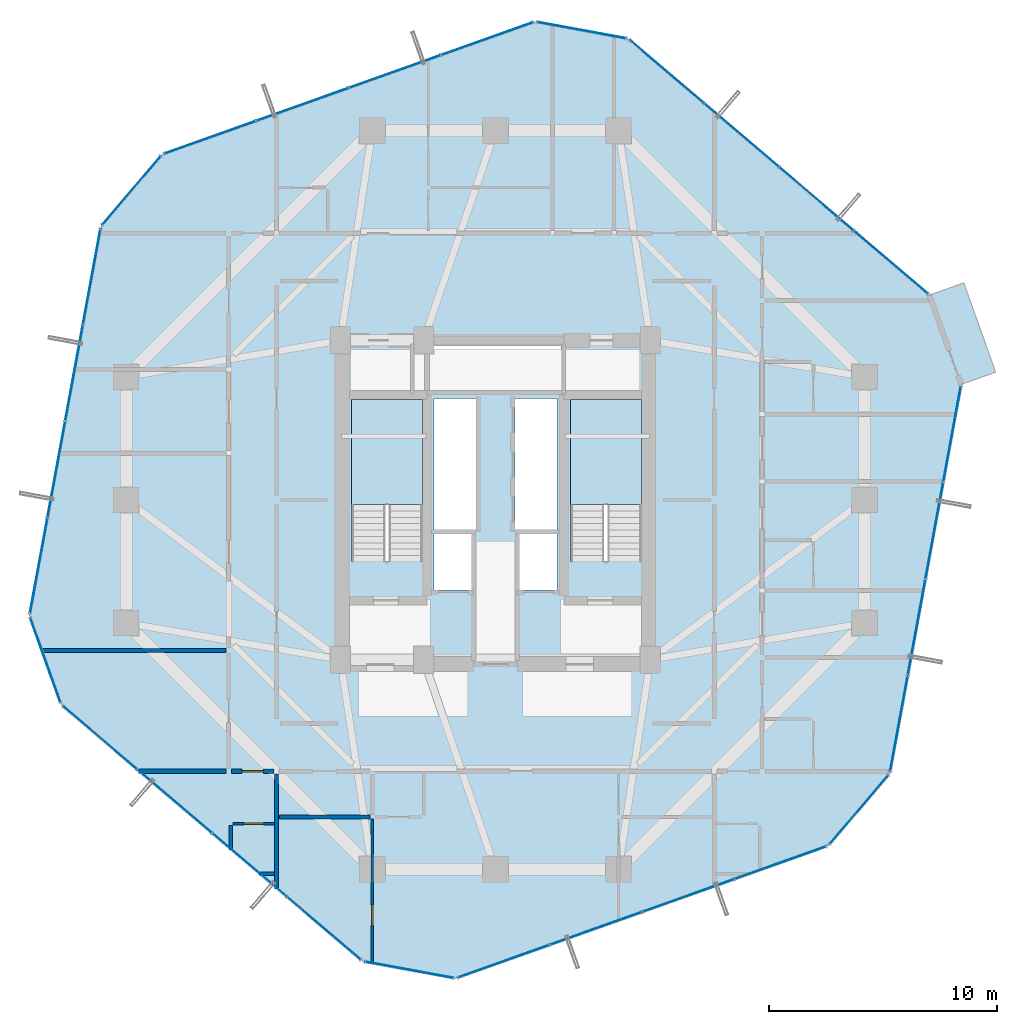
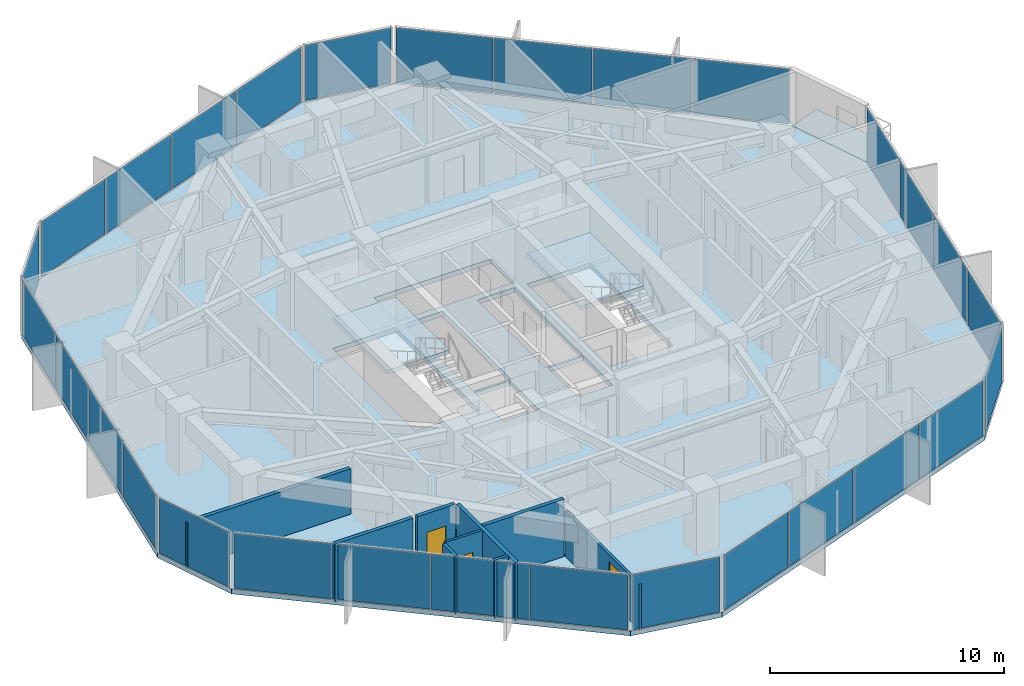
# One storey, part 27 of 33: 29 plates, 9 walls, 4 slabs, 3 doors, 3 openings, 13 elements without a shape of their own.
"""IFC4 building model written with IfcOpenShell, lengths in metres."""

import ifcopenshell
import ifcopenshell.guid

model = None  # the IFC model being written
_history = None  # IfcOwnerHistory: only IFC2X3 demands one
_inside = {}  # id of a spatial element -> (the spatial element, [elements in it])
_under = {}  # id of a project, library or spatial element -> (it, [spatial elements below it])
_declared = {}  # id of a project -> (the project, [libraries it declares])
_typed = {}  # id of a type object -> (the type object, [elements of that type])
_made_of = {}  # id of a material, layer set ... -> (it, [elements and type objects made of it])


def new_model(schema):
    """Start an empty IFC model of exactly this schema.

    Asked for "IFC4X3", IfcOpenShell would pick the latest addendum, in which some entities
    have other attributes; the version numbers below select the first issue.
    IFC2X3 requires an IfcOwnerHistory on every rooted entity: one is made here for all.
    """
    global model, _history
    if schema == "IFC4X3":
        model = ifcopenshell.file(schema_version=(4, 3, 0, 0))
    else:
        model = ifcopenshell.file(schema=schema)
    _inside.clear()
    _under.clear()
    _declared.clear()
    _typed.clear()
    _made_of.clear()
    _history = None
    if model.schema == "IFC2X3":
        org = make("IfcOrganization", Name="unknown")
        user = make(
            "IfcPersonAndOrganization",
            ThePerson=make("IfcPerson", FamilyName="unknown"),
            TheOrganization=org,
        )
        app = make(
            "IfcApplication",
            ApplicationDeveloper=org,
            Version="unknown",
            ApplicationFullName="unknown",
            ApplicationIdentifier="unknown",
        )
        _history = make(
            "IfcOwnerHistory",
            OwningUser=user,
            OwningApplication=app,
            ChangeAction="ADDED",
            CreationDate=0,
        )
    return model


def make(cls, **values):
    """One entity of the class cls with the attributes given. An attribute that is None is left unset."""
    return model.create_entity(
        cls, **{name: value for name, value in values.items() if value is not None}
    )


def rooted(cls, **values):
    """An entity with a GlobalId (a new one), such as an element, a storey or a relation."""
    return make(cls, GlobalId=ifcopenshell.guid.new(), OwnerHistory=_history, **values)


def si_unit(unit_type, name, prefix=None):
    """IfcSIUnit, for example si_unit("LENGTHUNIT", "METRE", prefix="MILLI")."""
    return make("IfcSIUnit", UnitType=unit_type, Prefix=prefix, Name=name)


def assignment(units):
    """IfcUnitAssignment: the units of a project."""
    return None if units is None else make("IfcUnitAssignment", Units=units)


def point(xyz):
    """IfcCartesianPoint."""
    return None if xyz is None else make("IfcCartesianPoint", Coordinates=xyz)


def direction(xyz):
    """IfcDirection."""
    return None if xyz is None else make("IfcDirection", DirectionRatios=xyz)


def frame(location, z_axis=None, x_axis=None):
    """IfcAxis2Placement3D, a coordinate frame: its origin and axes. An axis left out is left unset."""
    return make(
        "IfcAxis2Placement3D",
        Location=point(location),
        Axis=direction(z_axis),
        RefDirection=direction(x_axis),
    )


def frame_2d(location, x_axis=None):
    """IfcAxis2Placement2D, a coordinate frame in the plane: its origin and x axis."""
    return make(
        "IfcAxis2Placement2D", Location=point(location), RefDirection=direction(x_axis)
    )


def origin():
    """The frame at (0, 0, 0) with its axes left unset."""
    return frame((0.0, 0.0, 0.0))


def origin_2d():
    """The frame at (0, 0) in the plane with its x axis left unset."""
    return frame_2d((0.0, 0.0))


def place(relative_to, where):
    """IfcLocalPlacement: puts the frame where relative to a parent placement (None: the world)."""
    return make(
        "IfcLocalPlacement", PlacementRelTo=relative_to, RelativePlacement=where
    )


def context(
    kind, dimensions, precision=None, world=None, true_north=None, identifier=None
):
    """IfcGeometricRepresentationContext, for example the 3D "Model" context."""
    return make(
        "IfcGeometricRepresentationContext",
        ContextIdentifier=identifier,
        ContextType=kind,
        CoordinateSpaceDimension=dimensions,
        Precision=precision,
        WorldCoordinateSystem=world,
        TrueNorth=true_north,
    )


def subcontext(parent, identifier, kind, view, scale=None):
    """IfcGeometricRepresentationSubContext, for example "Body" below "Model"."""
    return make(
        "IfcGeometricRepresentationSubContext",
        ContextIdentifier=identifier,
        ContextType=kind,
        ParentContext=parent,
        TargetScale=scale,
        TargetView=view,
    )


def project(units=None, contexts=None):
    """IfcProject with its units and contexts."""
    return rooted(
        "IfcProject",
        Name="project",
        RepresentationContexts=contexts,
        UnitsInContext=assignment(units),
    )


def spatial(cls, under=None, at=None, **own):
    """A site, building, storey or space (cls), placed at a placement, below another one or the project."""
    s = rooted(cls, ObjectPlacement=at, **own)
    if under is not None:
        _under.setdefault(under.id(), (under, []))[1].append(s)
    return s


def polyline(points):
    """IfcPolyline through the points."""
    return make("IfcPolyline", Points=[point(p) for p in points])


def profile(cls, at=None, kind="AREA", **sizes):
    """A parametric profile (cls). Its sizes go by their IFC names, for example OverallWidth=200.0."""
    return make(cls, ProfileType=kind, Position=at, **sizes)


def rectangle(**sizes):
    """IfcRectangleProfileDef."""
    return profile("IfcRectangleProfileDef", **sizes)


def outline(outer, holes=None, kind="AREA"):
    """IfcArbitraryClosedProfileDef: a profile drawn as a closed curve; with holes, ...WithVoids."""
    if holes is None:
        return make("IfcArbitraryClosedProfileDef", ProfileType=kind, OuterCurve=outer)
    return make(
        "IfcArbitraryProfileDefWithVoids",
        ProfileType=kind,
        OuterCurve=outer,
        InnerCurves=holes,
    )


def extrude(swept, where, along, depth):
    """IfcExtrudedAreaSolid: the profile swept, set in the frame where, extruded along a direction by depth."""
    return make(
        "IfcExtrudedAreaSolid",
        SweptArea=swept,
        Position=where,
        ExtrudedDirection=direction(along),
        Depth=depth,
    )


def shape(context_of_items, identifier, shape_type, items):
    """IfcShapeRepresentation: the items that make up one representation, for example the "Body"."""
    return make(
        "IfcShapeRepresentation",
        ContextOfItems=context_of_items,
        RepresentationIdentifier=identifier,
        RepresentationType=shape_type,
        Items=items,
    )


def source(mapping_origin, context_of_items, identifier, shape_type, items):
    """IfcRepresentationMap: a shape defined once, which mapped items show again and again."""
    return make(
        "IfcRepresentationMap",
        MappingOrigin=mapping_origin,
        MappedRepresentation=shape(context_of_items, identifier, shape_type, items),
    )


def transform(
    local_origin,
    x_axis=None,
    y_axis=None,
    z_axis=None,
    scale=None,
    scale2=None,
    scale3=None,
    uniform=True,
):
    """IfcCartesianTransformationOperator3D, or its non-uniform kind. x_axis, y_axis, z_axis: its Axis1, 2, 3."""
    if uniform:
        return make(
            "IfcCartesianTransformationOperator3D",
            Axis1=direction(x_axis),
            Axis2=direction(y_axis),
            LocalOrigin=point(local_origin),
            Scale=scale,
            Axis3=direction(z_axis),
        )
    return make(
        "IfcCartesianTransformationOperator3DnonUniform",
        Axis1=direction(x_axis),
        Axis2=direction(y_axis),
        LocalOrigin=point(local_origin),
        Scale=scale,
        Axis3=direction(z_axis),
        Scale2=scale2,
        Scale3=scale3,
    )


def mapped(mapping_source, mapping_target):
    """IfcMappedItem: shows the shape of a source again, moved by a transform."""
    return make(
        "IfcMappedItem", MappingSource=mapping_source, MappingTarget=mapping_target
    )


def material(Name=None, Category=None):
    """IfcMaterial."""
    return make("IfcMaterial", Name=Name, Category=Category)


def layer(
    of_material, thickness, ventilated=None, Name=None, Category=None, Priority=None
):
    """IfcMaterialLayer: one layer of a wall or slab, of a material (None: an air gap)."""
    return make(
        "IfcMaterialLayer",
        Material=of_material,
        LayerThickness=thickness,
        IsVentilated=ventilated,
        Name=Name,
        Category=Category,
        Priority=Priority,
    )


def layer_set(layers, Name=None):
    """IfcMaterialLayerSet."""
    return make("IfcMaterialLayerSet", MaterialLayers=layers, LayerSetName=Name)


def made_of(thing, what):
    """Note that an element or type object is made of a material, layer set ...; save() writes the relation."""
    if what is not None:
        _made_of.setdefault(what.id(), (what, []))[1].append(thing)
    return thing


def type_object(cls, material=None, **own):
    """A type object (cls), such as IfcWallType, which elements share."""
    return made_of(rooted(cls, **own), material)


def element(
    cls,
    number,
    at=None,
    inside=None,
    cuts=None,
    type_object=None,
    material=None,
    context=None,
    identifier="Body",
    shape_type=None,
    held_by="IfcProductDefinitionShape",
    body=None,
    shapes=None,
    **own,
):
    """One element of the class cls, such as IfcWall. Its Tag is "e" and its number.

    at: its placement. inside: the storey or other place that contains it. cuts: it is an
    opening in that element (IfcRelVoidsElement). A single representation is given by context,
    identifier, shape_type and body (its items); several are given by shapes. held_by: the class
    of the entity that holds the representations. save() writes the other relations.
    """
    e = rooted(cls, Tag="e%d" % number, ObjectPlacement=at, **own)
    if body is not None:
        shapes = [shape(context, identifier, shape_type, body)]
    if shapes is not None:
        e.Representation = make(held_by, Representations=shapes)
    if inside is not None:
        _inside.setdefault(inside.id(), (inside, []))[1].append(e)
    if cuts is not None:
        rooted(
            "IfcRelVoidsElement", RelatingBuildingElement=cuts, RelatedOpeningElement=e
        )
    if type_object is not None:
        _typed.setdefault(type_object.id(), (type_object, []))[1].append(e)
    return made_of(e, material)


def fill(opening, filler):
    """IfcRelFillsElement: the door or window that sits in an opening."""
    return rooted(
        "IfcRelFillsElement",
        RelatingOpeningElement=opening,
        RelatedBuildingElement=filler,
    )


def aggregate(whole, parts):
    """IfcRelAggregates: a whole, such as a stair, and the parts it consists of."""
    return rooted("IfcRelAggregates", RelatingObject=whole, RelatedObjects=parts)


def save(model, path):
    """Write the relations noted so far, then the file.

    IfcRelAggregates (storeys below a building ...), IfcRelContainedInSpatialStructure (elements
    in a storey), IfcRelDefinesByType, IfcRelAssociatesMaterial and IfcRelDeclares: one each for
    every whole, place, type object, material and project.
    """
    for whole, parts in _under.values():
        aggregate(whole, parts)
    for where, things in _inside.values():
        rooted(
            "IfcRelContainedInSpatialStructure",
            RelatedElements=things,
            RelatingStructure=where,
        )
    for kind, things in _typed.values():
        rooted("IfcRelDefinesByType", RelatedObjects=things, RelatingType=kind)
    for what, things in _made_of.values():
        rooted("IfcRelAssociatesMaterial", RelatedObjects=things, RelatingMaterial=what)
    for by, libraries in _declared.values():
        rooted("IfcRelDeclares", RelatingContext=by, RelatedDefinitions=libraries)
    model.write(path)


model = new_model("IFC4")

# Units and contexts
model_context = context("Model", 3, precision=1e-05, world=origin(), true_north=direction((0.0, 1.0)))
body_context = subcontext(model_context, "Body", "Model", "MODEL_VIEW")
ifc_project = project(units=[si_unit("LENGTHUNIT", "METRE"), si_unit("AREAUNIT", "SQUARE_METRE"), si_unit("VOLUMEUNIT", "CUBIC_METRE"), si_unit("PLANEANGLEUNIT", "RADIAN"), si_unit("MASSUNIT", "GRAM", prefix="KILO")], contexts=[model_context])

# Site, building, storey
site_placement = place(None, origin())
site = spatial("IfcSite", under=ifc_project, at=site_placement, CompositionType="ELEMENT")
building_placement = place(site_placement, origin())
building = spatial("IfcBuilding", under=site, at=building_placement, Name="Veraguas Prism Commons", CompositionType="ELEMENT")
storey_placement = place(building_placement, frame((0.0, 0.0, 92.699951171875)))
storey = spatial("IfcBuildingStorey", under=building, at=storey_placement, Name="L25", CompositionType="ELEMENT", Elevation=92.699951171875)

# Stair, slab
ifc_material_1 = material(Name="Precast concrete C45/55", Category="concrete")
stair_type = type_object("IfcStairType", Name="Dogleg Core Stair 1480W 20R 05", PredefinedType="HALF_TURN_STAIR", material=ifc_material_1)
stair_1_placement = place(storey_placement, origin())
stair_1 = element("IfcStair", 1, at=stair_1_placement, inside=storey, type_object=stair_type, Name="Protected Exit Stair ST-01 L25", PredefinedType="HALF_TURN_STAIR")
ifc_layer_1 = layer(ifc_material_1, 0.199951171875, Name="Precast Stair and Ramp Landing Slab 200", Category="concrete")
ifc_layer_set_1 = layer_set([ifc_layer_1], Name="Precast concrete C45/55")
slab_type_1 = type_object("IfcSlabType", Name="Precast Stair and Ramp Landing Slab 200", PredefinedType="LANDING", material=ifc_layer_set_1)
slab_1_placement = place(storey_placement, frame((0.0, 0.0, 1.425048828125)))
slab_1 = element("IfcSlab", 2, at=slab_1_placement, type_object=slab_type_1, Name="ST-05 Landing 1", PredefinedType="LANDING", context=body_context, shape_type="SweptSolid", body=[
    extrude(outline(polyline([(20.800048828125, 23.800048828125), (20.800048828125, 28.39990234375), (17.68994140625, 28.39990234375), (17.68994140625, 23.800048828125), (20.800048828125, 23.800048828125)])), origin(), (0.0, 0.0, 1.0), 0.199951171875),
])
aggregate(stair_1, [slab_1])

stair_2_placement = place(storey_placement, origin())
stair_2 = element("IfcStair", 3, at=stair_2_placement, inside=storey, type_object=stair_type, Name="Protected Exit Stair ST-02 L25", PredefinedType="HALF_TURN_STAIR")
slab_2_placement = place(storey_placement, frame((0.0, 0.0, 1.425048828125)))
slab_2 = element("IfcSlab", 4, at=slab_2_placement, type_object=slab_type_1, Name="ST-05 Landing 1", PredefinedType="LANDING", context=body_context, shape_type="SweptSolid", body=[
    extrude(outline(polyline([(30.39990234375, 23.800048828125), (30.39990234375, 28.39990234375), (27.2900390625, 28.39990234375), (27.2900390625, 23.800048828125), (30.39990234375, 23.800048828125)])), origin(), (0.0, 0.0, 1.0), 0.199951171875),
])
aggregate(stair_2, [slab_2])

# Slabs
ifc_material_2 = material(Name="Concrete C45/55", Category="concrete")
ifc_layer_2 = layer(ifc_material_2, 0.219970703125, Name="Recessed Loggia and Terrace Slab RC 220", Category="concrete")
ifc_layer_set_2 = layer_set([ifc_layer_2], Name="Concrete C45/55")
slab_type_2 = type_object("IfcSlabType", Name="Recessed Loggia and Terrace Slab RC 220", PredefinedType="FLOOR", material=ifc_layer_set_2)
slab_3_placement = place(storey_placement, frame((0.0, 0.0, -0.219970703125)))
element("IfcSlab", 5, at=slab_3_placement, inside=storey, type_object=slab_type_2, Name="Recessed Corner Loggia L25-C1", PredefinedType="FLOOR", context=body_context, shape_type="SweptSolid", body=[
    extrude(outline(polyline([(44.414794921875, 29.065185546875), (45.94091796875, 29.6083984375), (44.5478515625, 33.52099609375), (43.021728515625, 32.9775390625), (44.414794921875, 29.065185546875)])), origin(), (0.0, 0.0, 1.0), 0.219970703125),
])
ifc_layer_3 = layer(ifc_material_2, 0.25, Name="Tower Lower Residential Floor Slab RC 250", Category="concrete")
ifc_layer_set_3 = layer_set([ifc_layer_3], Name="Concrete C45/55")
slab_type_3 = type_object("IfcSlabType", Name="Tower Lower Residential Floor Slab RC 250", PredefinedType="FLOOR", material=ifc_layer_set_3)
slab_4_placement = place(storey_placement, frame((0.0, 0.0, -0.25)))
element("IfcSlab", 6, at=slab_4_placement, inside=storey, type_object=slab_type_3, Name="Tower Floor Slab L25", PredefinedType="FLOOR", context=body_context, shape_type="SweptSolid", body=[
    extrude(outline(polyline([(44.43359375, 29.07177734375), (43.04052734375, 32.984375), (29.824462890625, 44.23193359375), (25.739501953125, 44.981689453125), (9.390869140625, 39.16015625), (6.69921875, 35.997314453125), (3.56640625, 18.92822265625), (4.95947265625, 15.015625), (18.175537109375, 3.76806640625), (22.260498046875, 3.018310546875), (38.609130859375, 8.83984375), (41.30078125, 12.002685546875), (44.43359375, 29.07177734375)]), holes=[polyline([(20.800048828125, 21.31005859375), (20.800048828125, 28.39990234375), (17.68994140625, 28.39990234375), (17.68994140625, 21.31005859375), (20.800048828125, 21.31005859375)]), polyline([(30.39990234375, 21.31005859375), (30.39990234375, 28.39990234375), (27.2900390625, 28.39990234375), (27.2900390625, 21.31005859375), (30.39990234375, 21.31005859375)]), polyline([(21.300048828125, 22.64990234375), (23.14990234375, 22.64990234375), (23.14990234375, 28.449951171875), (21.300048828125, 28.449951171875), (21.300048828125, 22.64990234375)]), polyline([(24.85009765625, 22.64990234375), (26.699951171875, 22.64990234375), (26.699951171875, 28.449951171875), (24.85009765625, 28.449951171875), (24.85009765625, 22.64990234375)]), polyline([(21.10009765625, 28.800048828125), (26.89990234375, 28.800048828125), (26.89990234375, 30.800048828125), (21.10009765625, 30.800048828125), (21.10009765625, 28.800048828125)]), polyline([(21.300048828125, 20.050048828125), (23.050048828125, 20.050048828125), (23.050048828125, 22.550048828125), (21.300048828125, 22.550048828125), (21.300048828125, 20.050048828125)]), polyline([(24.949951171875, 20.050048828125), (26.699951171875, 20.050048828125), (26.699951171875, 22.550048828125), (24.949951171875, 22.550048828125), (24.949951171875, 20.050048828125)])]), origin(), (0.0, 0.0, 1.0), 0.25),
])

# Curtain wall, plates
ifc_material_3 = material(Name="Anodised aluminium EN AW-6063 T6", Category="aluminium")
ifc_layer_4 = layer(ifc_material_3, 0.169921875, Name="Unitised Flush Curtain Wall Zone 2", Category="aluminium")
ifc_layer_set_4 = layer_set([ifc_layer_4], Name="Anodised aluminium EN AW-6063 T6")
curtain_wall_type = type_object("IfcCurtainWallType", Name="Unitised Flush Curtain Wall Zone 2", PredefinedType="NOTDEFINED", material=ifc_layer_set_4)
curtain_wall_1_placement = place(storey_placement, origin())
curtain_wall_1 = element("IfcCurtainWall", 7, at=curtain_wall_1_placement, inside=storey, type_object=curtain_wall_type, Name="Tower Facade Curtain Wall L25-F1", PredefinedType="NOTDEFINED")
ifc_material_4 = material(Name="Laminated low-e glass", Category="glass")
ifc_layer_5 = layer(ifc_material_4, 0.028076171875, Name="Unitised Double Low-E Glazed Panel 28", Category="glass")
ifc_layer_set_5 = layer_set([ifc_layer_5], Name="Laminated low-e glass")
plate_type = type_object("IfcPlateType", Name="Unitised Double Low-E Glazed Panel 28", PredefinedType="CURTAIN_PANEL", material=ifc_layer_set_5)
shared_shape_1 = source(origin(), body_context, "Body", "SweptSolid", [
    extrude(rectangle(XDim=4.218505859375, YDim=0.028076171875, at=origin_2d()), origin(), (0.0, 0.0, 1.0), 2.889892578125),
])
plate_1_placement = place(storey_placement, frame((41.3427734375, 34.42919921875, 0.05517578125), z_axis=(0.0, 0.0, 1.0), x_axis=(-0.761540569897, 0.648117242789, 0.0)))
plate_1 = element("IfcPlate", 8, at=plate_1_placement, type_object=plate_type, Name="CW-Z2 Panel 1.1", PredefinedType="CURTAIN_PANEL", context=body_context, shape_type="MappedRepresentation", body=[
    mapped(shared_shape_1, transform((0.0, 0.0, 0.0), scale=1.0)),
])
plate_2_placement = place(storey_placement, frame((31.522216796875, 42.787109375, 0.05517578125), z_axis=(0.0, 0.0, 1.0), x_axis=(-0.761540569897, 0.648117242789, 0.0)))
plate_2 = element("IfcPlate", 9, at=plate_2_placement, type_object=plate_type, Name="CW-Z2 Panel 4.1", PredefinedType="CURTAIN_PANEL", context=body_context, shape_type="MappedRepresentation", body=[
    mapped(shared_shape_1, transform((0.0, 0.0, 0.0), scale=1.0)),
])

curtain_wall_2_placement = place(storey_placement, origin())
curtain_wall_2 = element("IfcCurtainWall", 10, at=curtain_wall_2_placement, inside=storey, type_object=curtain_wall_type, Name="Tower Facade Curtain Wall L25-F2", PredefinedType="NOTDEFINED")
plate_3_placement = place(storey_placement, frame((23.639404296875, 44.23388671875, 0.05517578125), z_axis=(0.0, 0.0, 1.0), x_axis=(-0.942055696354, -0.335456502347, 0.0)))
plate_3 = element("IfcPlate", 11, at=plate_3_placement, type_object=plate_type, Name="CW-Z2 Panel 1.1", PredefinedType="CURTAIN_PANEL", context=body_context, shape_type="MappedRepresentation", body=[
    mapped(shared_shape_1, transform((0.0, 0.0, 0.0), scale=1.0)),
])
plate_4_placement = place(storey_placement, frame((11.490966796875, 39.907958984375, 0.05517578125), z_axis=(0.0, 0.0, 1.0), x_axis=(-0.942055696354, -0.335456502347, 0.0)))
plate_4 = element("IfcPlate", 12, at=plate_4_placement, type_object=plate_type, Name="CW-Z2 Panel 4.1", PredefinedType="CURTAIN_PANEL", context=body_context, shape_type="MappedRepresentation", body=[
    mapped(shared_shape_1, transform((0.0, 0.0, 0.0), scale=1.0)),
])

curtain_wall_3_placement = place(storey_placement, origin())
curtain_wall_3 = element("IfcCurtainWall", 13, at=curtain_wall_3_placement, inside=storey, type_object=curtain_wall_type, Name="Tower Facade Curtain Wall L25-F3", PredefinedType="NOTDEFINED")
plate_5_placement = place(storey_placement, frame((6.296630859375, 33.8046875, 0.05517578125), z_axis=(0.0, 0.0, 1.0), x_axis=(-0.180522578562, -0.983570840677, 0.0)))
plate_5 = element("IfcPlate", 14, at=plate_5_placement, type_object=plate_type, Name="CW-Z2 Panel 1.1", PredefinedType="CURTAIN_PANEL", context=body_context, shape_type="MappedRepresentation", body=[
    mapped(shared_shape_1, transform((0.0, 0.0, 0.0), scale=1.0)),
])
plate_6_placement = place(storey_placement, frame((3.96875, 21.120849609375, 0.05517578125), z_axis=(0.0, 0.0, 1.0), x_axis=(-0.180522578562, -0.983570840677, 0.0)))
plate_6 = element("IfcPlate", 15, at=plate_6_placement, type_object=plate_type, Name="CW-Z2 Panel 4.1", PredefinedType="CURTAIN_PANEL", context=body_context, shape_type="MappedRepresentation", body=[
    mapped(shared_shape_1, transform((0.0, 0.0, 0.0), scale=1.0)),
])

curtain_wall_4_placement = place(storey_placement, origin())
curtain_wall_4 = element("IfcCurtainWall", 16, at=curtain_wall_4_placement, inside=storey, type_object=curtain_wall_type, Name="Tower Facade Curtain Wall L25-F4", PredefinedType="NOTDEFINED")
plate_7_placement = place(storey_placement, frame((6.6572265625, 13.57080078125, 0.05517578125), z_axis=(0.0, 0.0, 1.0), x_axis=(0.761540569897, -0.648117242789, 0.0)))
plate_7 = element("IfcPlate", 17, at=plate_7_placement, type_object=plate_type, Name="CW-Z2 Panel 1.1", PredefinedType="CURTAIN_PANEL", context=body_context, shape_type="MappedRepresentation", body=[
    mapped(shared_shape_1, transform((0.0, 0.0, 0.0), scale=1.0)),
])
plate_8_placement = place(storey_placement, frame((16.477783203125, 5.212890625, 0.05517578125), z_axis=(0.0, 0.0, 1.0), x_axis=(0.761540569897, -0.648117242789, 0.0)))
plate_8 = element("IfcPlate", 18, at=plate_8_placement, type_object=plate_type, Name="CW-Z2 Panel 4.1", PredefinedType="CURTAIN_PANEL", context=body_context, shape_type="MappedRepresentation", body=[
    mapped(shared_shape_1, transform((0.0, 0.0, 0.0), scale=1.0)),
])

curtain_wall_5_placement = place(storey_placement, origin())
curtain_wall_5 = element("IfcCurtainWall", 19, at=curtain_wall_5_placement, inside=storey, type_object=curtain_wall_type, Name="Tower Facade Curtain Wall L25-F5", PredefinedType="NOTDEFINED")
plate_9_placement = place(storey_placement, frame((24.360595703125, 3.76611328125, 0.05517578125), z_axis=(0.0, 0.0, 1.0), x_axis=(0.942055696354, 0.335456502347, 0.0)))
plate_9 = element("IfcPlate", 20, at=plate_9_placement, type_object=plate_type, Name="CW-Z2 Panel 1.1", PredefinedType="CURTAIN_PANEL", context=body_context, shape_type="MappedRepresentation", body=[
    mapped(shared_shape_1, transform((0.0, 0.0, 0.0), scale=1.0)),
])
plate_10_placement = place(storey_placement, frame((36.509033203125, 8.092041015625, 0.05517578125), z_axis=(0.0, 0.0, 1.0), x_axis=(0.942055696354, 0.335456502347, 0.0)))
plate_10 = element("IfcPlate", 21, at=plate_10_placement, type_object=plate_type, Name="CW-Z2 Panel 4.1", PredefinedType="CURTAIN_PANEL", context=body_context, shape_type="MappedRepresentation", body=[
    mapped(shared_shape_1, transform((0.0, 0.0, 0.0), scale=1.0)),
])

curtain_wall_6_placement = place(storey_placement, origin())
curtain_wall_6 = element("IfcCurtainWall", 22, at=curtain_wall_6_placement, inside=storey, type_object=curtain_wall_type, Name="Tower Facade Curtain Wall L25-F6", PredefinedType="NOTDEFINED")
plate_11_placement = place(storey_placement, frame((41.703369140625, 14.1953125, 0.05517578125), z_axis=(0.0, 0.0, 1.0), x_axis=(0.180522578562, 0.983570840677, 0.0)))
plate_11 = element("IfcPlate", 23, at=plate_11_placement, type_object=plate_type, Name="CW-Z2 Panel 1.1", PredefinedType="CURTAIN_PANEL", context=body_context, shape_type="MappedRepresentation", body=[
    mapped(shared_shape_1, transform((0.0, 0.0, 0.0), scale=1.0)),
])
plate_12_placement = place(storey_placement, frame((44.03125, 26.879150390625, 0.05517578125), z_axis=(0.0, 0.0, 1.0), x_axis=(0.180522578562, 0.983570840677, 0.0)))
plate_12 = element("IfcPlate", 24, at=plate_12_placement, type_object=plate_type, Name="CW-Z2 Panel 4.1", PredefinedType="CURTAIN_PANEL", context=body_context, shape_type="MappedRepresentation", body=[
    mapped(shared_shape_1, transform((0.0, 0.0, 0.0), scale=1.0)),
])

# Plate
shared_shape_2 = source(origin(), body_context, "Body", "SweptSolid", [
    extrude(rectangle(XDim=4.24853515625, YDim=0.028076171875, at=origin_2d()), origin(), (0.0, 0.0, 1.0), 2.889892578125),
])
plate_13_placement = place(storey_placement, frame((38.0732421875, 37.2119140625, 0.05517578125), z_axis=(0.0, 0.0, 1.0), x_axis=(-0.761540569897, 0.648117242789, 0.0)))
plate_13 = element("IfcPlate", 25, at=plate_13_placement, type_object=plate_type, Name="CW-Z2 Panel 2.1", PredefinedType="CURTAIN_PANEL", context=body_context, shape_type="MappedRepresentation", body=[
    mapped(shared_shape_2, transform((0.0, 0.0, 0.0), scale=1.0)),
])

plate_14_placement = place(storey_placement, frame((34.7919921875, 40.00439453125, 0.05517578125), z_axis=(0.0, 0.0, 1.0), x_axis=(-0.761540569897, 0.648117242789, 0.0)))
plate_14 = element("IfcPlate", 26, at=plate_14_placement, type_object=plate_type, Name="CW-Z2 Panel 3.1", PredefinedType="CURTAIN_PANEL", context=body_context, shape_type="MappedRepresentation", body=[
    mapped(shared_shape_2, transform((0.0, 0.0, 0.0), scale=1.0)),
])

aggregate(curtain_wall_1, [plate_1, plate_13, plate_14, plate_2])

plate_15_placement = place(storey_placement, frame((19.5947265625, 42.793701171875, 0.05517578125), z_axis=(0.0, 0.0, 1.0), x_axis=(-0.942055696354, -0.335456502347, 0.0)))
plate_15 = element("IfcPlate", 27, at=plate_15_placement, type_object=plate_type, Name="CW-Z2 Panel 2.1", PredefinedType="CURTAIN_PANEL", context=body_context, shape_type="MappedRepresentation", body=[
    mapped(shared_shape_2, transform((0.0, 0.0, 0.0), scale=1.0)),
])

plate_16_placement = place(storey_placement, frame((15.53564453125, 41.348388671875, 0.05517578125), z_axis=(0.0, 0.0, 1.0), x_axis=(-0.942055696354, -0.335456502347, 0.0)))
plate_16 = element("IfcPlate", 28, at=plate_16_placement, type_object=plate_type, Name="CW-Z2 Panel 3.1", PredefinedType="CURTAIN_PANEL", context=body_context, shape_type="MappedRepresentation", body=[
    mapped(shared_shape_2, transform((0.0, 0.0, 0.0), scale=1.0)),
])

aggregate(curtain_wall_2, [plate_3, plate_15, plate_16, plate_4])

plate_17_placement = place(storey_placement, frame((5.521484375, 29.581787109375, 0.05517578125), z_axis=(0.0, 0.0, 1.0), x_axis=(-0.180522578562, -0.983570840677, 0.0)))
plate_17 = element("IfcPlate", 29, at=plate_17_placement, type_object=plate_type, Name="CW-Z2 Panel 2.1", PredefinedType="CURTAIN_PANEL", context=body_context, shape_type="MappedRepresentation", body=[
    mapped(shared_shape_2, transform((0.0, 0.0, 0.0), scale=1.0)),
])

plate_18_placement = place(storey_placement, frame((4.743896484375, 25.343994140625, 0.05517578125), z_axis=(0.0, 0.0, 1.0), x_axis=(-0.180522578562, -0.983570840677, 0.0)))
plate_18 = element("IfcPlate", 30, at=plate_18_placement, type_object=plate_type, Name="CW-Z2 Panel 3.1", PredefinedType="CURTAIN_PANEL", context=body_context, shape_type="MappedRepresentation", body=[
    mapped(shared_shape_2, transform((0.0, 0.0, 0.0), scale=1.0)),
])

aggregate(curtain_wall_3, [plate_5, plate_17, plate_18, plate_6])

plate_19_placement = place(storey_placement, frame((9.9267578125, 10.7880859375, 0.05517578125), z_axis=(0.0, 0.0, 1.0), x_axis=(0.761540569897, -0.648117242789, 0.0)))
plate_19 = element("IfcPlate", 31, at=plate_19_placement, type_object=plate_type, Name="CW-Z2 Panel 2.1", PredefinedType="CURTAIN_PANEL", context=body_context, shape_type="MappedRepresentation", body=[
    mapped(shared_shape_2, transform((0.0, 0.0, 0.0), scale=1.0)),
])

plate_20_placement = place(storey_placement, frame((13.2080078125, 7.99560546875, 0.05517578125), z_axis=(0.0, 0.0, 1.0), x_axis=(0.761540569897, -0.648117242789, 0.0)))
plate_20 = element("IfcPlate", 32, at=plate_20_placement, type_object=plate_type, Name="CW-Z2 Panel 3.1", PredefinedType="CURTAIN_PANEL", context=body_context, shape_type="MappedRepresentation", body=[
    mapped(shared_shape_2, transform((0.0, 0.0, 0.0), scale=1.0)),
])

aggregate(curtain_wall_4, [plate_7, plate_19, plate_20, plate_8])

plate_21_placement = place(storey_placement, frame((28.4052734375, 5.206298828125, 0.05517578125), z_axis=(0.0, 0.0, 1.0), x_axis=(0.942055696354, 0.335456502347, 0.0)))
plate_21 = element("IfcPlate", 33, at=plate_21_placement, type_object=plate_type, Name="CW-Z2 Panel 2.1", PredefinedType="CURTAIN_PANEL", context=body_context, shape_type="MappedRepresentation", body=[
    mapped(shared_shape_2, transform((0.0, 0.0, 0.0), scale=1.0)),
])

plate_22_placement = place(storey_placement, frame((32.46435546875, 6.651611328125, 0.05517578125), z_axis=(0.0, 0.0, 1.0), x_axis=(0.942055696354, 0.335456502347, 0.0)))
plate_22 = element("IfcPlate", 34, at=plate_22_placement, type_object=plate_type, Name="CW-Z2 Panel 3.1", PredefinedType="CURTAIN_PANEL", context=body_context, shape_type="MappedRepresentation", body=[
    mapped(shared_shape_2, transform((0.0, 0.0, 0.0), scale=1.0)),
])

aggregate(curtain_wall_5, [plate_9, plate_21, plate_22, plate_10])

plate_23_placement = place(storey_placement, frame((42.478515625, 18.418212890625, 0.05517578125), z_axis=(0.0, 0.0, 1.0), x_axis=(0.180522578562, 0.983570840677, 0.0)))
plate_23 = element("IfcPlate", 35, at=plate_23_placement, type_object=plate_type, Name="CW-Z2 Panel 2.1", PredefinedType="CURTAIN_PANEL", context=body_context, shape_type="MappedRepresentation", body=[
    mapped(shared_shape_2, transform((0.0, 0.0, 0.0), scale=1.0)),
])

plate_24_placement = place(storey_placement, frame((43.256103515625, 22.656005859375, 0.05517578125), z_axis=(0.0, 0.0, 1.0), x_axis=(0.180522578562, 0.983570840677, 0.0)))
plate_24 = element("IfcPlate", 36, at=plate_24_placement, type_object=plate_type, Name="CW-Z2 Panel 3.1", PredefinedType="CURTAIN_PANEL", context=body_context, shape_type="MappedRepresentation", body=[
    mapped(shared_shape_2, transform((0.0, 0.0, 0.0), scale=1.0)),
])

aggregate(curtain_wall_6, [plate_11, plate_23, plate_24, plate_12])

# Curtain wall, plate
curtain_wall_7_placement = place(storey_placement, origin())
curtain_wall_7 = element("IfcCurtainWall", 37, at=curtain_wall_7_placement, inside=storey, type_object=curtain_wall_type, Name="Chamfer Curtain Wall L25-C2", PredefinedType="NOTDEFINED")
shared_shape_3 = source(origin(), body_context, "Body", "SweptSolid", [
    extrude(rectangle(XDim=3.9130859375, YDim=0.028076171875, at=origin_2d()), origin(), (0.0, 0.0, 1.0), 2.889892578125),
])
plate_25_placement = place(storey_placement, frame((27.781982421875, 44.60693359375, 0.05517578125), z_axis=(0.0, 0.0, 1.0), x_axis=(-0.983565484031, 0.180551761616, 0.0)))
plate_25 = element("IfcPlate", 38, at=plate_25_placement, type_object=plate_type, Name="CW-Z2 Panel 1.1", PredefinedType="CURTAIN_PANEL", context=body_context, shape_type="MappedRepresentation", body=[
    mapped(shared_shape_3, transform((0.0, 0.0, 0.0), scale=1.0)),
])
aggregate(curtain_wall_7, [plate_25])

curtain_wall_8_placement = place(storey_placement, origin())
curtain_wall_8 = element("IfcCurtainWall", 39, at=curtain_wall_8_placement, inside=storey, type_object=curtain_wall_type, Name="Chamfer Curtain Wall L25-C3", PredefinedType="NOTDEFINED")
plate_26_placement = place(storey_placement, frame((8.044921875, 37.578857421875, 0.05517578125), z_axis=(0.0, 0.0, 1.0), x_axis=(-0.648110597069, -0.761546225758, 0.0)))
plate_26 = element("IfcPlate", 40, at=plate_26_placement, type_object=plate_type, Name="CW-Z2 Panel 1.1", PredefinedType="CURTAIN_PANEL", context=body_context, shape_type="MappedRepresentation", body=[
    mapped(shared_shape_3, transform((0.0, 0.0, 0.0), scale=1.0)),
])
aggregate(curtain_wall_8, [plate_26])

curtain_wall_9_placement = place(storey_placement, origin())
curtain_wall_9 = element("IfcCurtainWall", 41, at=curtain_wall_9_placement, inside=storey, type_object=curtain_wall_type, Name="Chamfer Curtain Wall L25-C4", PredefinedType="NOTDEFINED")
plate_27_placement = place(storey_placement, frame((4.262939453125, 16.971923828125, 0.05517578125), z_axis=(0.0, 0.0, 1.0), x_axis=(0.335443348735, -0.942060380119, 0.0)))
plate_27 = element("IfcPlate", 42, at=plate_27_placement, type_object=plate_type, Name="CW-Z2 Panel 1.1", PredefinedType="CURTAIN_PANEL", context=body_context, shape_type="MappedRepresentation", body=[
    mapped(shared_shape_3, transform((0.0, 0.0, 0.0), scale=1.0)),
])
aggregate(curtain_wall_9, [plate_27])

curtain_wall_10_placement = place(storey_placement, origin())
curtain_wall_10 = element("IfcCurtainWall", 43, at=curtain_wall_10_placement, inside=storey, type_object=curtain_wall_type, Name="Chamfer Curtain Wall L25-C5", PredefinedType="NOTDEFINED")
plate_28_placement = place(storey_placement, frame((20.218017578125, 3.39306640625, 0.05517578125), z_axis=(0.0, 0.0, 1.0), x_axis=(0.983565484031, -0.180551761616, 0.0)))
plate_28 = element("IfcPlate", 44, at=plate_28_placement, type_object=plate_type, Name="CW-Z2 Panel 1.1", PredefinedType="CURTAIN_PANEL", context=body_context, shape_type="MappedRepresentation", body=[
    mapped(shared_shape_3, transform((0.0, 0.0, 0.0), scale=1.0)),
])
aggregate(curtain_wall_10, [plate_28])

curtain_wall_11_placement = place(storey_placement, origin())
curtain_wall_11 = element("IfcCurtainWall", 45, at=curtain_wall_11_placement, inside=storey, type_object=curtain_wall_type, Name="Chamfer Curtain Wall L25-C6", PredefinedType="NOTDEFINED")
plate_29_placement = place(storey_placement, frame((39.955078125, 10.421142578125, 0.05517578125), z_axis=(0.0, 0.0, 1.0), x_axis=(0.648110597069, 0.761546225758, 0.0)))
plate_29 = element("IfcPlate", 46, at=plate_29_placement, type_object=plate_type, Name="CW-Z2 Panel 1.1", PredefinedType="CURTAIN_PANEL", context=body_context, shape_type="MappedRepresentation", body=[
    mapped(shared_shape_3, transform((0.0, 0.0, 0.0), scale=1.0)),
])
aggregate(curtain_wall_11, [plate_29])

# Walls
ifc_material_5 = material(Name="Autoclaved aerated masonry block 10 MPa", Category="masonry")
ifc_layer_6 = layer(ifc_material_5, 0.179931640625, Name="Corridor and Inter-Tenancy Partition 180", Category="masonry")
ifc_layer_set_6 = layer_set([ifc_layer_6], Name="Autoclaved aerated masonry block 10 MPa")
wall_type_1 = type_object("IfcWallType", Name="Corridor and Inter-Tenancy Partition 180", PredefinedType="PARTITIONING", material=ifc_layer_set_6)
wall_1_placement = place(storey_placement, frame((14.39990234375, 11.97998046875, 0.0), z_axis=(0.0, 0.0, 1.0), x_axis=(0.0, -1.0, 0.0)))
element("IfcWall", 47, at=wall_1_placement, inside=storey, type_object=wall_type_1, Name="WL-L25-PT001", PredefinedType="PARTITIONING", context=body_context, shape_type="SweptSolid", body=[
    extrude(rectangle(XDim=5.0380859375, YDim=0.179931640625, at=frame_2d((2.51904296875, 0.0))), origin(), (0.0, 0.0, 1.0), 3.0),
])
wall_2_placement = place(storey_placement, frame((14.52001953125, 10.10009765625, 0.0), z_axis=(0.0, 0.0, 1.0), x_axis=(1.0, 0.0, 0.0)))
element("IfcWall", 48, at=wall_2_placement, inside=storey, type_object=wall_type_1, Name="WL-L25-PT005", PredefinedType="PARTITIONING", context=body_context, shape_type="SweptSolid", body=[
    extrude(rectangle(XDim=3.97998046875, YDim=0.179931640625, at=frame_2d((1.989990234375, 0.0))), origin(), (0.0, 0.0, 1.0), 3.0),
])
wall_3_placement = place(storey_placement, frame((12.179931640625, 12.10009765625, 0.0), z_axis=(0.0, 0.0, 1.0), x_axis=(-1.0, 0.0, 0.0)))
element("IfcWall", 49, at=wall_3_placement, inside=storey, type_object=wall_type_1, Name="WL-L25-PT025", PredefinedType="PARTITIONING", context=body_context, shape_type="SweptSolid", body=[
    extrude(rectangle(XDim=3.8408203125, YDim=0.179931640625, at=frame_2d((1.92041015625, 0.0))), origin(), (0.0, 0.0, 1.0), 3.0),
])
wall_4_placement = place(storey_placement, frame((12.179931640625, 17.402099609375, 0.0), z_axis=(0.0, 0.0, 1.0), x_axis=(-1.0, 0.0, 0.0)))
element("IfcWall", 50, at=wall_4_placement, inside=storey, type_object=wall_type_1, Name="WL-L25-PT029", PredefinedType="PARTITIONING", context=body_context, shape_type="SweptSolid", body=[
    extrude(rectangle(XDim=8.10205078125, YDim=0.179931640625, at=frame_2d((4.051025390625, 0.0))), origin(), (0.0, 0.0, 1.0), 2.3779296875),
])

# Wall, opening, door
wall_5_placement = place(storey_placement, frame((12.419921875, 12.10009765625, 0.0), z_axis=(0.0, 0.0, 1.0), x_axis=(1.0, 0.0, 0.0)))
wall_5 = element("IfcWall", 51, at=wall_5_placement, inside=storey, type_object=wall_type_1, Name="WL-L25-PT053", PredefinedType="PARTITIONING", context=body_context, shape_type="SweptSolid", body=[
    extrude(rectangle(XDim=1.860107421875, YDim=0.179931640625, at=frame_2d((0.93017578125, 0.0))), origin(), (0.0, 0.0, 1.0), 3.0),
])
opening_1_placement = place(wall_5_placement, frame((0.455078125, 0.0, 0.0)))
opening_1 = element("IfcOpeningElement", 52, at=opening_1_placement, cuts=wall_5, Name="Opening DR-01", PredefinedType="OPENING", context=body_context, shape_type="SweptSolid", body=[
    extrude(rectangle(XDim=0.949951171875, YDim=2.02001953125, at=frame_2d((0.47509765625, 1.010009765625))), frame((0.0, 0.099853515625, 0.0), z_axis=(0.0, -1.0, 0.0), x_axis=(1.0, 0.0, 0.0)), (0.0, 0.0, 1.0), 0.199951171875),
])
door_type_1 = type_object("IfcDoorType", Name="Apartment Entrance Fire Door 950x2020", OperationType="NOTDEFINED", PredefinedType="DOOR", material=ifc_material_3)
shared_shape_4 = source(origin(), body_context, "Body", "SweptSolid", [
    extrude(rectangle(XDim=0.949951171875, YDim=2.02001953125, at=frame_2d((0.47509765625, 1.010009765625))), frame((0.0, 0.02490234375, 0.0), z_axis=(0.0, -1.0, 0.0), x_axis=(1.0, 0.0, 0.0)), (0.0, 0.0, 1.0), 0.050048828125),
])
door_1_placement = place(opening_1_placement, origin())
door_1 = element("IfcDoor", 53, at=door_1_placement, inside=storey, type_object=door_type_1, Name="Studio 25F Entrance Door", OperationType="SINGLE_SWING_LEFT", OverallHeight=2.02001953125, OverallWidth=0.949951171875, PredefinedType="DOOR", context=body_context, shape_type="MappedRepresentation", body=[
    mapped(shared_shape_4, transform((0.0, 0.0, 0.0), scale=1.0)),
])
fill(opening_1, door_1)

ifc_material_6 = material(Name="Lightweight acoustic gypsum board")
ifc_layer_7 = layer(ifc_material_6, 0.125, Name="Internal Apartment Room Partition 125")
ifc_layer_set_7 = layer_set([ifc_layer_7], Name="Lightweight acoustic gypsum board")
wall_type_2 = type_object("IfcWallType", Name="Internal Apartment Room Partition 125", PredefinedType="PARTITIONING", material=ifc_layer_set_7)
wall_6_placement = place(storey_placement, frame((18.60009765625, 10.0, 0.0), z_axis=(0.0, 0.0, 1.0), x_axis=(0.0, -1.0, 0.0)))
wall_6 = element("IfcWall", 54, at=wall_6_placement, inside=storey, type_object=wall_type_2, Name="WL-L25-PT007", PredefinedType="PARTITIONING", context=body_context, shape_type="SweptSolid", body=[
    extrude(rectangle(XDim=6.34033203125, YDim=0.125, at=frame_2d((3.170166015625, 0.0))), origin(), (0.0, 0.0, 1.0), 2.3779296875),
])
opening_2_placement = place(wall_6_placement, frame((3.770263671875, 0.0, 0.0)))
opening_2 = element("IfcOpeningElement", 55, at=opening_2_placement, cuts=wall_6, Name="Opening DR-02", PredefinedType="OPENING", context=body_context, shape_type="SweptSolid", body=[
    extrude(rectangle(XDim=0.89990234375, YDim=2.010009765625, at=frame_2d((0.449951171875, 1.0048828125))), frame((0.0, 0.072509765625, 0.0), z_axis=(0.0, -1.0, 0.0), x_axis=(1.0, 0.0, 0.0)), (0.0, 0.0, 1.0), 0.14501953125),
])
ifc_material_7 = material(Name="Timber solid core hardwood", Category="wood")
door_type_2 = type_object("IfcDoorType", Name="Internal Habitable Room Door 900x2010", OperationType="NOTDEFINED", PredefinedType="DOOR", material=ifc_material_7)
shared_shape_5 = source(origin(), body_context, "Body", "SweptSolid", [
    extrude(rectangle(XDim=0.89990234375, YDim=2.010009765625, at=frame_2d((0.449951171875, 1.0048828125))), frame((0.0, 0.02490234375, 0.0), z_axis=(0.0, -1.0, 0.0), x_axis=(1.0, 0.0, 0.0)), (0.0, 0.0, 1.0), 0.050048828125),
])
door_2_placement = place(opening_2_placement, origin())
door_2 = element("IfcDoor", 56, at=door_2_placement, inside=storey, type_object=door_type_2, Name="Flat 25A Bedroom 2 Door", OperationType="SINGLE_SWING_RIGHT", OverallHeight=2.010009765625, OverallWidth=0.89990234375, PredefinedType="DOOR", context=body_context, shape_type="MappedRepresentation", body=[
    mapped(shared_shape_5, transform((0.0, 0.0, 0.0), scale=1.0)),
])
fill(opening_2, door_2)

wall_7_placement = place(storey_placement, frame((12.47998046875, 9.800048828125, 0.0), z_axis=(0.0, 0.0, 1.0), x_axis=(1.0, 0.0, 0.0)))
wall_7 = element("IfcWall", 57, at=wall_7_placement, inside=storey, type_object=wall_type_2, Name="WL-L25-PT054", PredefinedType="PARTITIONING", context=body_context, shape_type="SweptSolid", body=[
    extrude(rectangle(XDim=1.840087890625, YDim=0.125, at=frame_2d((0.919921875, 0.0))), origin(), (0.0, 0.0, 1.0), 3.0),
])
opening_3_placement = place(wall_7_placement, frame((0.489990234375, 0.0, 0.0)))
opening_3 = element("IfcOpeningElement", 58, at=opening_3_placement, cuts=wall_7, Name="Opening DR-03", PredefinedType="OPENING", context=body_context, shape_type="SweptSolid", body=[
    extrude(rectangle(XDim=0.860107421875, YDim=2.010009765625, at=frame_2d((0.43017578125, 1.0048828125))), frame((0.0, 0.072509765625, 0.0), z_axis=(0.0, -1.0, 0.0), x_axis=(1.0, 0.0, 0.0)), (0.0, 0.0, 1.0), 0.14501953125),
])
ifc_material_8 = material(Name="Timber moisture-resistant leaf", Category="wood")
door_type_3 = type_object("IfcDoorType", Name="Internal Bathroom Door 860x2010", OperationType="NOTDEFINED", PredefinedType="DOOR", material=ifc_material_8)
shared_shape_6 = source(origin(), body_context, "Body", "SweptSolid", [
    extrude(rectangle(XDim=0.860107421875, YDim=2.010009765625, at=frame_2d((0.43017578125, 1.0048828125))), frame((0.0, 0.02490234375, 0.0), z_axis=(0.0, -1.0, 0.0), x_axis=(1.0, 0.0, 0.0)), (0.0, 0.0, 1.0), 0.050048828125),
])
door_3_placement = place(opening_3_placement, origin())
door_3 = element("IfcDoor", 59, at=door_3_placement, inside=storey, type_object=door_type_3, Name="Studio 25F Bathroom Door", OperationType="SINGLE_SWING_RIGHT", OverallHeight=2.010009765625, OverallWidth=0.860107421875, PredefinedType="DOOR", context=body_context, shape_type="MappedRepresentation", body=[
    mapped(shared_shape_6, transform((0.0, 0.0, 0.0), scale=1.0)),
])
fill(opening_3, door_3)

# Walls
ifc_layer_8 = layer(ifc_material_6, 0.14990234375, Name="Wet Room and Clinic Acoustic Partition 150")
ifc_layer_set_8 = layer_set([ifc_layer_8], Name="Lightweight acoustic gypsum board")
wall_type_3 = type_object("IfcWallType", Name="Wet Room and Clinic Acoustic Partition 150", PredefinedType="PARTITIONING", material=ifc_layer_set_8)
wall_8_placement = place(storey_placement, frame((13.626708984375, 7.60009765625, 0.0), z_axis=(0.0, 0.0, 1.0), x_axis=(1.0, 0.0, 0.0)))
element("IfcWall", 60, at=wall_8_placement, inside=storey, type_object=wall_type_3, Name="WL-L25-PT055", PredefinedType="PARTITIONING", context=body_context, shape_type="SweptSolid", body=[
    extrude(rectangle(XDim=0.693359375, YDim=0.14990234375, at=frame_2d((0.3466796875, 0.0))), origin(), (0.0, 0.0, 1.0), 3.0),
])
wall_9_placement = place(storey_placement, frame((12.39990234375, 8.643798828125, 0.0), z_axis=(0.0, 0.0, 1.0), x_axis=(0.0, 1.0, 0.0)))
element("IfcWall", 61, at=wall_9_placement, inside=storey, type_object=wall_type_3, Name="WL-L25-PT056", PredefinedType="PARTITIONING", context=body_context, shape_type="SweptSolid", body=[
    extrude(rectangle(XDim=1.076171875, YDim=0.14990234375, at=frame_2d((0.5380859375, 0.0))), origin(), (0.0, 0.0, 1.0), 3.0),
])

save(model, "model.ifc")
